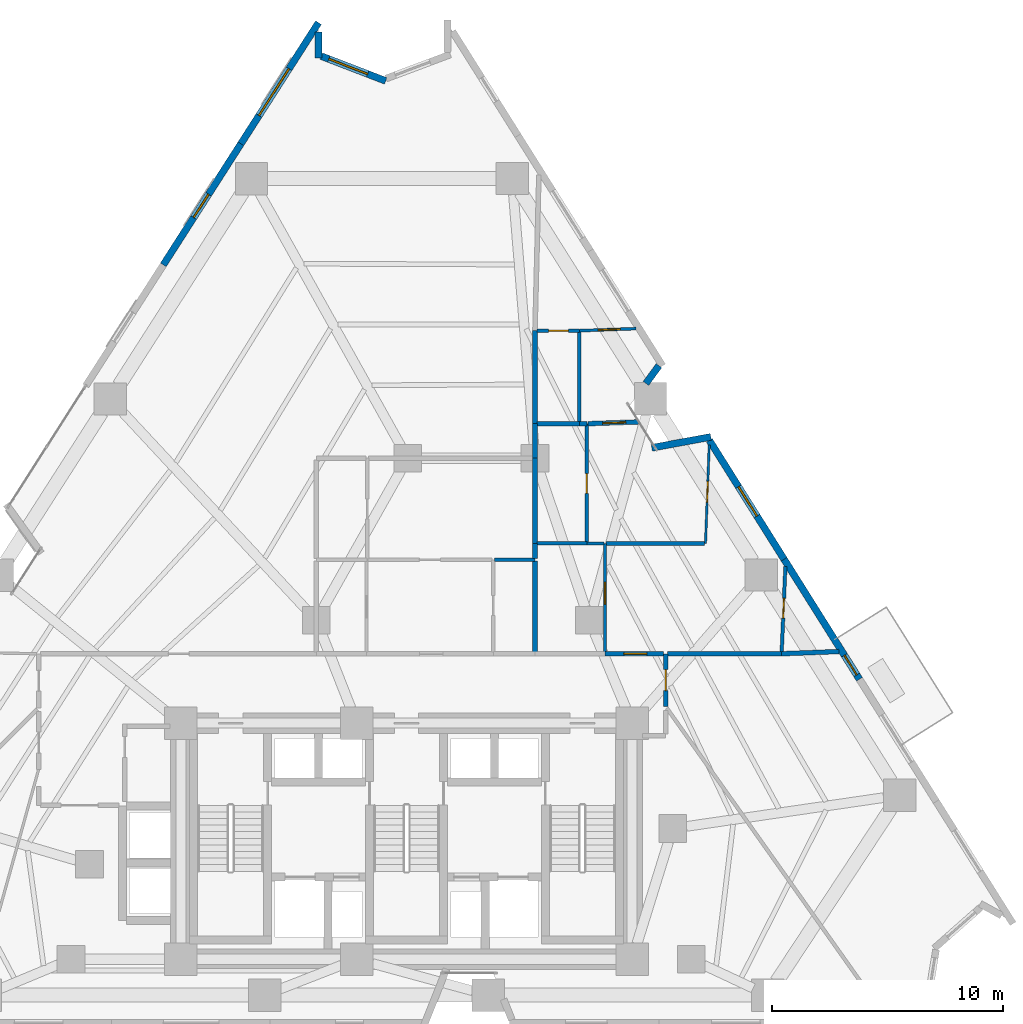
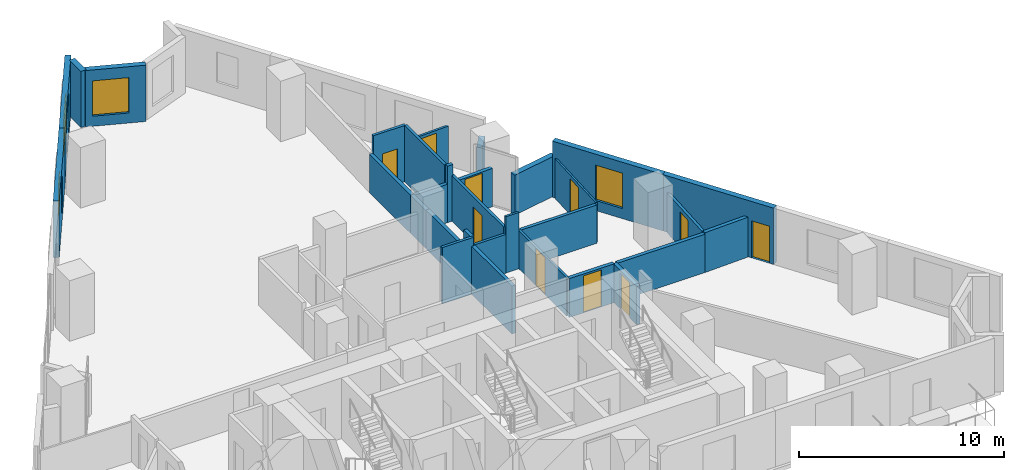
# One storey, part 9 of 13: 31 walls, 10 doors, 4 windows, 14 openings.
"""IFC4 building model written with IfcOpenShell, lengths in metres."""

from ifc_helpers import new_model, si_unit, direction, frame, frame_2d, origin, place, context, subcontext, project, spatial, rectangle, extrude, material, layer, layer_set, type_object, element, fill, save


model = new_model("IFC4")

# Units and contexts
model_context = context("Model", 3, precision=1e-05, world=origin(), true_north=direction((0.0, 1.0)))
body_context = subcontext(model_context, "Body", "Model", "MODEL_VIEW")
ifc_project = project(units=[si_unit("LENGTHUNIT", "METRE"), si_unit("AREAUNIT", "SQUARE_METRE"), si_unit("VOLUMEUNIT", "CUBIC_METRE"), si_unit("PLANEANGLEUNIT", "RADIAN"), si_unit("MASSUNIT", "GRAM", prefix="KILO")], contexts=[model_context])

# Site, building, storey
site_placement = place(None, origin())
site = spatial("IfcSite", under=ifc_project, at=site_placement, CompositionType="ELEMENT")
building_placement = place(site_placement, origin())
building = spatial("IfcBuilding", under=site, at=building_placement, Name="Almagre Mirador Tower", CompositionType="ELEMENT")
storey_placement = place(building_placement, frame((0.0, 0.0, 57.0)))
storey = spatial("IfcBuildingStorey", under=building, at=storey_placement, Name="L13", CompositionType="ELEMENT", Elevation=57.0)

# Wall, opening, window
ifc_material_1 = material(Name="Precast concrete C50/60", Category="concrete")
ifc_layer_1 = layer(ifc_material_1, 0.300048828125)
ifc_layer_set_1 = layer_set([ifc_layer_1], Name="Precast concrete C50/60")
wall_type_1 = type_object("IfcWallType", Name="WAL-EXT-300", PredefinedType="SOLIDWALL", material=ifc_layer_set_1)
wall_1_placement = place(storey_placement, frame((26.78955078125, 34.556884765625, 0.0), z_axis=(0.0, 0.0, 1.0), x_axis=(0.53946833602, 0.84200588741, 0.0)))
wall_1 = element("IfcWall", 1, at=wall_1_placement, inside=storey, type_object=wall_type_1, Name="L13 expressed almagre precast frame wall 04", PredefinedType="SOLIDWALL", context=body_context, shape_type="SweptSolid", body=[
    extrude(rectangle(XDim=6.214599609375, YDim=0.300048828125, at=frame_2d((3.107421875, 0.0))), origin(), (0.0, 0.0, 1.0), 3.35009765625),
])
opening_1_placement = place(wall_1_placement, frame((2.425048828125, 0.0, 0.800048828125)))
opening_1 = element("IfcOpeningElement", 2, at=opening_1_placement, cuts=wall_1, Name="Opening WN-04", PredefinedType="OPENING", context=body_context, shape_type="SweptSolid", body=[
    extrude(rectangle(XDim=1.199951171875, YDim=1.800048828125, at=frame_2d((0.60009765625, 0.89990234375))), frame((0.0, 0.159902, 0.0), z_axis=(0.0, -1.0, 0.0), x_axis=(1.0, 0.0, 0.0)), (0.0, 0.0, 1.0), 0.320049),
])
ifc_material_2 = material(Name="Dark solar-control laminated hurricane glass", Category="glass")
window_type_1 = type_object("IfcWindowType", Name="WIN-1200X1800", PartitioningType="SINGLE_PANEL", PredefinedType="WINDOW", material=ifc_material_2)
window_1_placement = place(opening_1_placement, origin())
window_1 = element("IfcWindow", 3, at=window_1_placement, inside=storey, type_object=window_type_1, Name="L13 recessed hurricane window L13-RST-H", OverallHeight=1.800048828125, OverallWidth=1.199951171875, PartitioningType="SINGLE_PANEL", PredefinedType="WINDOW", context=body_context, shape_type="SweptSolid", body=[
    extrude(rectangle(XDim=1.199951171875, YDim=1.800048828125, at=frame_2d((0.60009765625, 0.89990234375))), frame((0.0, 0.030029296875, 0.0), z_axis=(0.0, -1.0, 0.0), x_axis=(1.0, 0.0, 0.0)), (0.0, 0.0, 1.0), 0.06005859375),
])
fill(opening_1, window_1)

wall_2_placement = place(storey_placement, frame((30.14208984375, 39.78955078125, 0.0), z_axis=(0.0, 0.0, 1.0), x_axis=(0.539541882915, 0.841958761805, 0.0)))
wall_2 = element("IfcWall", 4, at=wall_2_placement, inside=storey, type_object=wall_type_1, Name="L13 expressed almagre precast frame wall 05", PredefinedType="SOLIDWALL", context=body_context, shape_type="SweptSolid", body=[
    extrude(rectangle(XDim=6.214599609375, YDim=0.300048828125, at=frame_2d((3.107421875, 0.0))), origin(), (0.0, 0.0, 1.0), 3.35009765625),
])
opening_2_placement = place(wall_2_placement, frame((1.449951171875, 0.0, 0.60009765625)))
opening_2 = element("IfcOpeningElement", 5, at=opening_2_placement, cuts=wall_2, Name="Opening WN-02", PredefinedType="OPENING", context=body_context, shape_type="SweptSolid", body=[
    extrude(rectangle(XDim=2.39990234375, YDim=2.10009765625, at=frame_2d((1.199951171875, 1.050048828125))), frame((0.0, 0.159902, 0.0), z_axis=(0.0, -1.0, 0.0), x_axis=(1.0, 0.0, 0.0)), (0.0, 0.0, 1.0), 0.320049),
])
ifc_material_3 = material(Name="Dark solar-control laminated hurricane glass", Category="glass")
window_type_2 = type_object("IfcWindowType", Name="WIN-2400X2100", PartitioningType="TRIPLE_PANEL_VERTICAL", PredefinedType="WINDOW", material=ifc_material_3)
window_2_placement = place(opening_2_placement, origin())
window_2 = element("IfcWindow", 6, at=window_2_placement, inside=storey, type_object=window_type_2, Name="L13 recessed hurricane window L13-RST-H", OverallHeight=2.10009765625, OverallWidth=2.39990234375, PartitioningType="SINGLE_PANEL", PredefinedType="WINDOW", context=body_context, shape_type="SweptSolid", body=[
    extrude(rectangle(XDim=2.39990234375, YDim=2.10009765625, at=frame_2d((1.199951171875, 1.050048828125))), frame((0.0, 0.030029296875, 0.0), z_axis=(0.0, -1.0, 0.0), x_axis=(1.0, 0.0, 0.0)), (0.0, 0.0, 1.0), 0.06005859375),
])
fill(opening_2, window_2)

# Wall
wall_3_placement = place(storey_placement, frame((33.492919921875, 44.612060546875, 0.0), z_axis=(0.0, 0.0, 1.0), x_axis=(-0.004991257271, -0.999987543598, 0.0)))
element("IfcWall", 7, at=wall_3_placement, inside=storey, type_object=wall_type_1, Name="L13 expressed almagre precast frame wall 06", PredefinedType="SOLIDWALL", context=body_context, shape_type="SweptSolid", body=[
    extrude(rectangle(XDim=1.125, YDim=0.300048828125, at=frame_2d((0.5625, 0.0))), origin(), (0.0, 0.0, 1.0), 3.35009765625),
])

# Wall, opening, window
wall_4_placement = place(storey_placement, frame((33.614013671875, 43.57861328125, 0.0), z_axis=(0.0, 0.0, 1.0), x_axis=(0.933166321884, -0.359444871576, 0.0)))
wall_4 = element("IfcWall", 8, at=wall_4_placement, inside=storey, type_object=wall_type_1, Name="L13 expressed almagre precast frame wall 07", PredefinedType="SOLIDWALL", context=body_context, shape_type="SweptSolid", body=[
    extrude(rectangle(XDim=2.985107421875, YDim=0.300048828125, at=frame_2d((1.49267578125, 0.0))), origin(), (0.0, 0.0, 1.0), 3.35009765625),
])
opening_3_placement = place(wall_4_placement, frame((0.35009765625, 0.0, 0.60009765625)))
opening_3 = element("IfcOpeningElement", 9, at=opening_3_placement, cuts=wall_4, Name="Opening WN-01", PredefinedType="OPENING", context=body_context, shape_type="SweptSolid", body=[
    extrude(rectangle(XDim=1.800048828125, YDim=2.10009765625, at=frame_2d((0.89990234375, 1.050048828125))), frame((0.0, 0.159902, 0.0), z_axis=(0.0, -1.0, 0.0), x_axis=(1.0, 0.0, 0.0)), (0.0, 0.0, 1.0), 0.320049),
])
ifc_material_4 = material(Name="Dark solar-control laminated hurricane glass", Category="glass")
window_type_3 = type_object("IfcWindowType", Name="WIN-1800X2100", PartitioningType="DOUBLE_PANEL_VERTICAL", PredefinedType="WINDOW", material=ifc_material_4)
window_3_placement = place(opening_3_placement, origin())
window_3 = element("IfcWindow", 10, at=window_3_placement, inside=storey, type_object=window_type_3, Name="L13 recessed hurricane window L13-RST-H", OverallHeight=2.10009765625, OverallWidth=1.800048828125, PartitioningType="SINGLE_PANEL", PredefinedType="WINDOW", context=body_context, shape_type="SweptSolid", body=[
    extrude(rectangle(XDim=1.800048828125, YDim=2.10009765625, at=frame_2d((0.89990234375, 1.050048828125))), frame((0.0, 0.030029296875, 0.0), z_axis=(0.0, -1.0, 0.0), x_axis=(1.0, 0.0, 0.0)), (0.0, 0.0, 1.0), 0.06005859375),
])
fill(opening_3, window_3)

# Walls
wall_5_placement = place(storey_placement, frame((48.20751953125, 30.198974609375, 0.0), z_axis=(0.0, 0.0, 1.0), x_axis=(-0.590673165439, -0.806910906873, 0.0)))
element("IfcWall", 11, at=wall_5_placement, inside=storey, type_object=wall_type_1, Name="L13 expressed almagre precast frame wall 13", PredefinedType="SOLIDWALL", context=body_context, shape_type="SweptSolid", body=[
    extrude(rectangle(XDim=0.95068359375, YDim=0.300048828125, at=frame_2d((0.475341796875, 0.0))), origin(), (0.0, 0.0, 1.0), 2.375),
])
wall_6_placement = place(storey_placement, frame((47.898193359375, 26.649658203125, 0.0), z_axis=(0.0, 0.0, 1.0), x_axis=(0.983393554406, 0.181485859375, 0.0)))
element("IfcWall", 12, at=wall_6_placement, inside=storey, type_object=wall_type_1, Name="L13 expressed almagre precast frame wall 14", PredefinedType="SOLIDWALL", context=body_context, shape_type="SweptSolid", body=[
    extrude(rectangle(XDim=2.593505859375, YDim=0.300048828125, at=frame_2d((1.296875, 0.0))), origin(), (0.0, 0.0, 1.0), 2.375),
])

# Wall, opening, window
wall_7_placement = place(storey_placement, frame((50.385498046875, 26.9765625, 0.0), z_axis=(0.0, 0.0, 1.0), x_axis=(0.531889110823, -0.846814013694, 0.0)))
wall_7 = element("IfcWall", 13, at=wall_7_placement, inside=storey, type_object=wall_type_1, Name="L13 expressed almagre precast frame wall 15", PredefinedType="SOLIDWALL", context=body_context, shape_type="SweptSolid", body=[
    extrude(rectangle(XDim=6.1259765625, YDim=0.300048828125, at=frame_2d((3.06298828125, 0.0))), origin(), (0.0, 0.0, 1.0), 3.35009765625),
])
opening_4_placement = place(wall_7_placement, frame((2.3701171875, 0.0, 0.60009765625)))
opening_4 = element("IfcOpeningElement", 14, at=opening_4_placement, cuts=wall_7, Name="Opening WN-03", PredefinedType="OPENING", context=body_context, shape_type="SweptSolid", body=[
    extrude(rectangle(XDim=1.5, YDim=2.10009765625, at=frame_2d((0.75, 1.050048828125))), frame((0.0, 0.159902, 0.0), z_axis=(0.0, -1.0, 0.0), x_axis=(1.0, 0.0, 0.0)), (0.0, 0.0, 1.0), 0.320049),
])
ifc_material_5 = material(Name="Dark solar-control laminated hurricane glass", Category="glass")
window_type_4 = type_object("IfcWindowType", Name="WIN-1500X2100", PartitioningType="DOUBLE_PANEL_VERTICAL", PredefinedType="WINDOW", material=ifc_material_5)
window_4_placement = place(opening_4_placement, origin())
window_4 = element("IfcWindow", 15, at=window_4_placement, inside=storey, type_object=window_type_4, Name="L13 recessed hurricane window L13-UG-LV", OverallHeight=2.10009765625, OverallWidth=1.5, PartitioningType="SINGLE_PANEL", PredefinedType="WINDOW", context=body_context, shape_type="SweptSolid", body=[
    extrude(rectangle(XDim=1.5, YDim=2.10009765625, at=frame_2d((0.75, 1.050048828125))), frame((0.0, 0.030029296875, 0.0), z_axis=(0.0, -1.0, 0.0), x_axis=(1.0, 0.0, 0.0)), (0.0, 0.0, 1.0), 0.06005859375),
])
fill(opening_4, window_4)

# Wall, opening, door
wall_8_placement = place(storey_placement, frame((53.61572265625, 21.833984375, 0.0), z_axis=(0.0, 0.0, 1.0), x_axis=(0.531897146978, -0.846808966082, 0.0)))
wall_8 = element("IfcWall", 16, at=wall_8_placement, inside=storey, type_object=wall_type_1, Name="L13 expressed almagre precast frame wall 16", PredefinedType="SOLIDWALL", context=body_context, shape_type="SweptSolid", body=[
    extrude(rectangle(XDim=6.123046875, YDim=0.300048828125, at=frame_2d((3.0615234375, 0.0))), origin(), (0.0, 0.0, 1.0), 3.35009765625),
])
opening_5_placement = place(wall_8_placement, frame((4.90283203125, 0.0, 0.0)))
opening_5 = element("IfcOpeningElement", 17, at=opening_5_placement, cuts=wall_8, Name="Opening BD-01", PredefinedType="OPENING", context=body_context, shape_type="SweptSolid", body=[
    extrude(rectangle(XDim=1.0, YDim=2.199951171875, at=frame_2d((0.5, 1.10009765625))), frame((0.0, 0.159902, 0.0), z_axis=(0.0, -1.0, 0.0), x_axis=(1.0, 0.0, 0.0)), (0.0, 0.0, 1.0), 0.320049),
])
ifc_material_6 = material(Name="Black anodized aluminium and laminated glass", Category="aluminium")
door_type_1 = type_object("IfcDoorType", Name="DOR-BAL-1000X2200", OperationType="NOTDEFINED", PredefinedType="DOOR", material=ifc_material_6)
door_1_placement = place(opening_5_placement, origin())
door_1 = element("IfcDoor", 18, at=door_1_placement, inside=storey, type_object=door_type_1, Name="DR-0421 L13 east balcony glazed door 2", OperationType="SINGLE_SWING_RIGHT", OverallHeight=2.199951171875, OverallWidth=1.0, PredefinedType="DOOR", context=body_context, shape_type="SweptSolid", body=[
    extrude(rectangle(XDim=1.0, YDim=2.199951171875, at=frame_2d((0.5, 1.10009765625))), frame((0.0, 0.02490234375, 0.0), z_axis=(0.0, -1.0, 0.0), x_axis=(1.0, 0.0, 0.0)), (0.0, 0.0, 1.0), 0.050048828125),
])
fill(opening_5, door_1)

ifc_material_7 = material(Name="Gypsum acoustic stud partition", Category="other")
ifc_layer_2 = layer(ifc_material_7, 0.10009765625)
ifc_layer_set_2 = layer_set([ifc_layer_2], Name="Gypsum acoustic stud partition")
wall_type_2 = type_object("IfcWallType", Name="WAL-PRT-100-CLS", PredefinedType="PARTITIONING", material=ifc_layer_set_2)
wall_9_placement = place(storey_placement, frame((50.3798828125, 26.762939453125, 0.0), z_axis=(0.0, 0.0, 1.0), x_axis=(-0.037662425344, -0.999290519177, 0.0)))
wall_9 = element("IfcWall", 19, at=wall_9_placement, inside=storey, type_object=wall_type_2, Name="L13 interior partition 035", PredefinedType="PARTITIONING", context=body_context, shape_type="SweptSolid", body=[
    extrude(rectangle(XDim=4.245849609375, YDim=0.10009765625, at=frame_2d((2.123046875, 0.0))), origin(), (0.0, 0.0, 1.0), 2.3701171875),
])
opening_6_placement = place(wall_9_placement, frame((1.5625, 0.0, 0.0)))
opening_6 = element("IfcOpeningElement", 20, at=opening_6_placement, cuts=wall_9, Name="Opening UD-02", PredefinedType="OPENING", context=body_context, shape_type="SweptSolid", body=[
    extrude(rectangle(XDim=0.89990234375, YDim=2.14990234375, at=frame_2d((0.449951171875, 1.074951171875))), frame((0.0, 0.060049, 0.0), z_axis=(0.0, -1.0, 0.0), x_axis=(1.0, 0.0, 0.0)), (0.0, 0.0, 1.0), 0.120098),
])
ifc_material_8 = material(Name="Solid American walnut timber", Category="wood")
door_type_2 = type_object("IfcDoorType", Name="DOR-UNR-900X2150", OperationType="NOTDEFINED", PredefinedType="DOOR", material=ifc_material_8)
door_2_placement = place(opening_6_placement, origin())
door_2 = element("IfcDoor", 21, at=door_2_placement, inside=storey, type_object=door_type_2, Name="DR-0440 L13 interior door L13-UG-LV to L13-UG-MB", OperationType="SINGLE_SWING_RIGHT", OverallHeight=2.14990234375, OverallWidth=0.89990234375, PredefinedType="DOOR", context=body_context, shape_type="SweptSolid", body=[
    extrude(rectangle(XDim=0.89990234375, YDim=2.14990234375, at=frame_2d((0.449951171875, 1.074951171875))), frame((0.0, 0.02490234375, 0.0), z_axis=(0.0, -1.0, 0.0), x_axis=(1.0, 0.0, 0.0)), (0.0, 0.0, 1.0), 0.050048828125),
])
fill(opening_6, door_2)

ifc_material_9 = material(Name="Gypsum acoustic stud partition", Category="other")
ifc_layer_3 = layer(ifc_material_9, 0.125)
ifc_layer_set_3 = layer_set([ifc_layer_3], Name="Gypsum acoustic stud partition")
wall_type_3 = type_object("IfcWallType", Name="WAL-PRT-125-UTL", PredefinedType="PARTITIONING", material=ifc_layer_set_3)
wall_10_placement = place(storey_placement, frame((45.8798828125, 22.52001953125, 0.0), z_axis=(0.0, 0.0, 1.0), x_axis=(0.0, -1.0, 0.0)))
wall_10 = element("IfcWall", 22, at=wall_10_placement, inside=storey, type_object=wall_type_3, Name="L13 interior partition 034", PredefinedType="PARTITIONING", context=body_context, shape_type="SweptSolid", body=[
    extrude(rectangle(XDim=4.68505859375, YDim=0.125, at=frame_2d((2.342529296875, 0.0))), origin(), (0.0, 0.0, 1.0), 2.279052734375),
])
opening_7_placement = place(wall_10_placement, frame((1.674072265625, 0.0, 0.0)))
opening_7 = element("IfcOpeningElement", 23, at=opening_7_placement, cuts=wall_10, Name="Opening UD-01", PredefinedType="OPENING", context=body_context, shape_type="SweptSolid", body=[
    extrude(rectangle(XDim=0.949951171875, YDim=2.199951171875, at=frame_2d((0.47509765625, 1.10009765625))), frame((0.0, 0.0725, 0.0), z_axis=(0.0, -1.0, 0.0), x_axis=(1.0, 0.0, 0.0)), (0.0, 0.0, 1.0), 0.145),
])
ifc_material_10 = material(Name="Solid American walnut timber", Category="wood")
door_type_3 = type_object("IfcDoorType", Name="DOR-UNR-950X2200", OperationType="NOTDEFINED", PredefinedType="DOOR", material=ifc_material_10)
door_3_placement = place(opening_7_placement, origin())
door_3 = element("IfcDoor", 24, at=door_3_placement, inside=storey, type_object=door_type_3, Name="DR-0438 L13 interior door L13-UG-LV to L13-UG-KT", OperationType="SINGLE_SWING_RIGHT", OverallHeight=2.199951171875, OverallWidth=0.949951171875, PredefinedType="DOOR", context=body_context, shape_type="SweptSolid", body=[
    extrude(rectangle(XDim=0.949951171875, YDim=2.199951171875, at=frame_2d((0.47509765625, 1.10009765625))), frame((0.0, 0.02490234375, 0.0), z_axis=(0.0, -1.0, 0.0), x_axis=(1.0, 0.0, 0.0)), (0.0, 0.0, 1.0), 0.050048828125),
])
fill(opening_7, door_3)

# Wall
wall_11_placement = place(storey_placement, frame((45.83251953125, 22.52001953125, 0.0), z_axis=(0.0, 0.0, 1.0), x_axis=(-1.0, 0.0, 0.0)))
element("IfcWall", 25, at=wall_11_placement, inside=storey, type_object=wall_type_3, Name="L13 interior partition 037", PredefinedType="PARTITIONING", context=body_context, shape_type="SweptSolid", body=[
    extrude(rectangle(XDim=0.742431640625, YDim=0.125, at=frame_2d((0.37109375, 0.0))), origin(), (0.0, 0.0, 1.0), 3.35009765625),
])

# Wall, opening, door
wall_12_placement = place(storey_placement, frame((44.77001953125, 31.7099609375, 0.0), z_axis=(0.0, 0.0, 1.0), x_axis=(0.99931224383, 0.037081522776, 0.0)))
wall_12 = element("IfcWall", 26, at=wall_12_placement, inside=storey, type_object=wall_type_3, Name="L13 interior partition 047", PredefinedType="PARTITIONING", context=body_context, shape_type="SweptSolid", body=[
    extrude(rectangle(XDim=2.455810546875, YDim=0.125, at=frame_2d((1.22802734375, 0.0))), origin(), (0.0, 0.0, 1.0), 2.3701171875),
])
opening_8_placement = place(wall_12_placement, frame((0.822021484375, 0.0, 0.0)))
opening_8 = element("IfcOpeningElement", 27, at=opening_8_placement, cuts=wall_12, Name="Opening UD-01", PredefinedType="OPENING", context=body_context, shape_type="SweptSolid", body=[
    extrude(rectangle(XDim=0.949951171875, YDim=2.199951171875, at=frame_2d((0.47509765625, 1.10009765625))), frame((0.0, 0.0725, 0.0), z_axis=(0.0, -1.0, 0.0), x_axis=(1.0, 0.0, 0.0)), (0.0, 0.0, 1.0), 0.145),
])
door_4_placement = place(opening_8_placement, origin())
door_4 = element("IfcDoor", 28, at=door_4_placement, inside=storey, type_object=door_type_3, Name="DR-0442 L13 interior door L13-UJ-ST to L13-UJ-KT", OperationType="SINGLE_SWING_RIGHT", OverallHeight=2.199951171875, OverallWidth=0.949951171875, PredefinedType="DOOR", context=body_context, shape_type="SweptSolid", body=[
    extrude(rectangle(XDim=0.949951171875, YDim=2.199951171875, at=frame_2d((0.47509765625, 1.10009765625))), frame((0.0, 0.02490234375, 0.0), z_axis=(0.0, -1.0, 0.0), x_axis=(1.0, 0.0, 0.0)), (0.0, 0.0, 1.0), 0.050048828125),
])
fill(opening_8, door_4)

# Wall
ifc_material_11 = material(Name="Gypsum acoustic stud partition", Category="other")
ifc_layer_4 = layer(ifc_material_11, 0.14990234375)
ifc_layer_set_4 = layer_set([ifc_layer_4], Name="Gypsum acoustic stud partition")
wall_type_4 = type_object("IfcWallType", Name="WAL-PRT-150-STD", PredefinedType="PARTITIONING", material=ifc_layer_set_4)
wall_13_placement = place(storey_placement, frame((42.85009765625, 21.81005859375, 0.0), z_axis=(0.0, 0.0, 1.0), x_axis=(-1.0, 0.0, 0.0)))
element("IfcWall", 29, at=wall_13_placement, inside=storey, type_object=wall_type_4, Name="L13 interior partition 023", PredefinedType="PARTITIONING", context=body_context, shape_type="SweptSolid", body=[
    extrude(rectangle(XDim=1.739990234375, YDim=0.14990234375, at=frame_2d((0.8701171875, 0.0))), origin(), (0.0, 0.0, 1.0), 3.35009765625),
])

# Wall, opening, door
wall_14_placement = place(storey_placement, frame((53.5126953125, 17.8349609375, 0.0), z_axis=(0.0, 0.0, 1.0), x_axis=(0.043187524183, 0.999066983618, 0.0)))
wall_14 = element("IfcWall", 30, at=wall_14_placement, inside=storey, type_object=wall_type_4, Name="L13 interior partition 033", PredefinedType="PARTITIONING", context=body_context, shape_type="SweptSolid", body=[
    extrude(rectangle(XDim=3.69140625, YDim=0.14990234375, at=frame_2d((1.845703125, 0.0))), origin(), (0.0, 0.0, 1.0), 2.3701171875),
])
opening_9_placement = place(wall_14_placement, frame((1.4609375, 0.0, 0.0)))
opening_9 = element("IfcOpeningElement", 31, at=opening_9_placement, cuts=wall_14, Name="Opening UD-04", PredefinedType="OPENING", context=body_context, shape_type="SweptSolid", body=[
    extrude(rectangle(XDim=0.85009765625, YDim=2.10009765625, at=frame_2d((0.425048828125, 1.050048828125))), frame((0.0, 0.084951, 0.0), z_axis=(0.0, -1.0, 0.0), x_axis=(1.0, 0.0, 0.0)), (0.0, 0.0, 1.0), 0.169902),
])
ifc_material_12 = material(Name="Moisture-resistant oak timber", Category="wood")
door_type_4 = type_object("IfcDoorType", Name="DOR-UNR-850X2100", OperationType="NOTDEFINED", PredefinedType="DOOR", material=ifc_material_12)
door_5_placement = place(opening_9_placement, origin())
door_5 = element("IfcDoor", 32, at=door_5_placement, inside=storey, type_object=door_type_4, Name="DR-0439 L13 interior door L13-UG-LV to L13-UG-HB", OperationType="SINGLE_SWING_LEFT", OverallHeight=2.10009765625, OverallWidth=0.85009765625, PredefinedType="DOOR", context=body_context, shape_type="SweptSolid", body=[
    extrude(rectangle(XDim=0.85009765625, YDim=2.10009765625, at=frame_2d((0.425048828125, 1.050048828125))), frame((0.0, 0.02490234375, 0.0), z_axis=(0.0, -1.0, 0.0), x_axis=(1.0, 0.0, 0.0)), (0.0, 0.0, 1.0), 0.050048828125),
])
fill(opening_9, door_5)

# Wall
wall_15_placement = place(storey_placement, frame((45.090087890625, 22.52001953125, 0.0), z_axis=(0.0, 0.0, 1.0), x_axis=(-1.0, 0.0, 0.0)))
element("IfcWall", 33, at=wall_15_placement, inside=storey, type_object=wall_type_4, Name="L13 interior partition 038", PredefinedType="PARTITIONING", context=body_context, shape_type="SweptSolid", body=[
    extrude(rectangle(XDim=2.155029296875, YDim=0.14990234375, at=frame_2d((1.07763671875, 0.0))), origin(), (0.0, 0.0, 1.0), 2.30908203125),
])

# Wall, opening, door
wall_16_placement = place(storey_placement, frame((45.090087890625, 27.68994140625, 0.0), z_axis=(0.0, 0.0, 1.0), x_axis=(0.0, -1.0, 0.0)))
wall_16 = element("IfcWall", 34, at=wall_16_placement, inside=storey, type_object=wall_type_4, Name="L13 interior partition 039", PredefinedType="PARTITIONING", context=body_context, shape_type="SweptSolid", body=[
    extrude(rectangle(XDim=5.12255859375, YDim=0.14990234375, at=frame_2d((2.561279296875, 0.0))), origin(), (0.0, 0.0, 1.0), 2.708984375),
])
opening_10_placement = place(wall_16_placement, frame((2.159912109375, 0.0, 0.0)))
opening_10 = element("IfcOpeningElement", 35, at=opening_10_placement, cuts=wall_16, Name="Opening UD-04", PredefinedType="OPENING", context=body_context, shape_type="SweptSolid", body=[
    extrude(rectangle(XDim=0.85009765625, YDim=2.10009765625, at=frame_2d((0.425048828125, 1.050048828125))), frame((0.0, 0.084951, 0.0), z_axis=(0.0, -1.0, 0.0), x_axis=(1.0, 0.0, 0.0)), (0.0, 0.0, 1.0), 0.169902),
])
door_6_placement = place(opening_10_placement, origin())
door_6 = element("IfcDoor", 36, at=door_6_placement, inside=storey, type_object=door_type_4, Name="DR-0441 L13 interior door L13-UG-MB to L13-UG-EN", OperationType="SINGLE_SWING_LEFT", OverallHeight=2.10009765625, OverallWidth=0.85009765625, PredefinedType="DOOR", context=body_context, shape_type="SweptSolid", body=[
    extrude(rectangle(XDim=0.85009765625, YDim=2.10009765625, at=frame_2d((0.425048828125, 1.050048828125))), frame((0.0, 0.02490234375, 0.0), z_axis=(0.0, -1.0, 0.0), x_axis=(1.0, 0.0, 0.0)), (0.0, 0.0, 1.0), 0.050048828125),
])
fill(opening_10, door_6)

wall_17_placement = place(storey_placement, frame((42.93505859375, 31.7099609375, 0.0), z_axis=(0.0, 0.0, 1.0), x_axis=(1.0, 0.0, 0.0)))
wall_17 = element("IfcWall", 37, at=wall_17_placement, inside=storey, type_object=wall_type_4, Name="L13 interior partition 046", PredefinedType="PARTITIONING", context=body_context, shape_type="SweptSolid", body=[
    extrude(rectangle(XDim=1.8349609375, YDim=0.14990234375, at=frame_2d((0.91748046875, 0.0))), origin(), (0.0, 0.0, 1.0), 3.35009765625),
])
opening_11_placement = place(wall_17_placement, frame((0.50634765625, 0.0, 0.0)))
opening_11 = element("IfcOpeningElement", 38, at=opening_11_placement, cuts=wall_17, Name="Opening UD-04", PredefinedType="OPENING", context=body_context, shape_type="SweptSolid", body=[
    extrude(rectangle(XDim=0.85009765625, YDim=2.10009765625, at=frame_2d((0.425048828125, 1.050048828125))), frame((0.0, 0.084951, 0.0), z_axis=(0.0, -1.0, 0.0), x_axis=(1.0, 0.0, 0.0)), (0.0, 0.0, 1.0), 0.169902),
])
door_7_placement = place(opening_11_placement, origin())
door_7 = element("IfcDoor", 39, at=door_7_placement, inside=storey, type_object=door_type_4, Name="DR-0443 L13 interior door L13-UJ-ST to L13-UJ-BT", OperationType="SINGLE_SWING_LEFT", OverallHeight=2.10009765625, OverallWidth=0.85009765625, PredefinedType="DOOR", context=body_context, shape_type="SweptSolid", body=[
    extrude(rectangle(XDim=0.85009765625, YDim=2.10009765625, at=frame_2d((0.425048828125, 1.050048828125))), frame((0.0, 0.02490234375, 0.0), z_axis=(0.0, -1.0, 0.0), x_axis=(1.0, 0.0, 0.0)), (0.0, 0.0, 1.0), 0.050048828125),
])
fill(opening_11, door_7)

# Walls
wall_18_placement = place(storey_placement, frame((44.77001953125, 27.77490234375, 0.0), z_axis=(0.0, 0.0, 1.0), x_axis=(0.0, 1.0, 0.0)))
element("IfcWall", 40, at=wall_18_placement, inside=storey, type_object=wall_type_4, Name="L13 interior partition 048", PredefinedType="PARTITIONING", context=body_context, shape_type="SweptSolid", body=[
    extrude(rectangle(XDim=3.875, YDim=0.14990234375, at=frame_2d((1.9375, 0.0))), origin(), (0.0, 0.0, 1.0), 3.35009765625),
])
ifc_material_13 = material(Name="Gypsum acoustic stud partition", Category="other")
ifc_layer_5 = layer(ifc_material_13, 0.175048828125)
ifc_layer_set_5 = layer_set([ifc_layer_5], Name="Gypsum acoustic stud partition")
wall_type_5 = type_object("IfcWallType", Name="WAL-PRT-175-AC", PredefinedType="PARTITIONING", material=ifc_layer_set_5)
wall_19_placement = place(storey_placement, frame((50.18505859375, 22.52001953125, 0.0), z_axis=(0.0, 0.0, 1.0), x_axis=(-1.0, 0.0, 0.0)))
element("IfcWall", 41, at=wall_19_placement, inside=storey, type_object=wall_type_5, Name="L13 interior partition 036", PredefinedType="PARTITIONING", context=body_context, shape_type="SweptSolid", body=[
    extrude(rectangle(XDim=4.257568359375, YDim=0.175048828125, at=frame_2d((2.12890625, 0.0))), origin(), (0.0, 0.0, 1.0), 2.279052734375),
])

# Wall, opening, door
ifc_material_14 = material(Name="Gypsum acoustic stud partition", Category="other")
ifc_layer_6 = layer(ifc_material_14, 0.199951171875)
ifc_layer_set_6 = layer_set([ifc_layer_6], Name="Gypsum acoustic stud partition")
wall_type_6 = type_object("IfcWallType", Name="WAL-PRT-200-EI60", PredefinedType="PARTITIONING", material=ifc_layer_set_6)
wall_20_placement = place(storey_placement, frame((48.5, 15.469970703125, 0.0), z_axis=(0.0, 0.0, 1.0), x_axis=(0.0, 1.0, 0.0)))
wall_20 = element("IfcWall", 42, at=wall_20_placement, inside=storey, type_object=wall_type_6, Name="L13 interior partition 007", PredefinedType="PARTITIONING", context=body_context, shape_type="SweptSolid", body=[
    extrude(rectangle(XDim=2.280029296875, YDim=0.199951171875, at=frame_2d((1.14013671875, 0.0))), origin(), (0.0, 0.0, 1.0), 2.279052734375),
])
opening_12_placement = place(wall_20_placement, frame((0.68994140625, 0.0, 0.0)))
opening_12 = element("IfcOpeningElement", 43, at=opening_12_placement, cuts=wall_20, Name="Opening ID-03", PredefinedType="OPENING", context=body_context, shape_type="SweptSolid", body=[
    extrude(rectangle(XDim=0.89990234375, YDim=2.10009765625, at=frame_2d((0.449951171875, 1.050048828125))), frame((0.0, 0.110098, 0.0), z_axis=(0.0, -1.0, 0.0), x_axis=(1.0, 0.0, 0.0)), (0.0, 0.0, 1.0), 0.219951),
])
ifc_material_15 = material(Name="Fire-rated hollow steel", Category="steel")
door_type_5 = type_object("IfcDoorType", Name="DOR-FD60-900X2100", OperationType="NOTDEFINED", PredefinedType="DOOR", material=ifc_material_15)
door_8_placement = place(opening_12_placement, origin())
door_8 = element("IfcDoor", 44, at=door_8_placement, inside=storey, type_object=door_type_5, Name="DR-0430 L13 interior door L13-RCOR to L13-RST-E", OperationType="SINGLE_SWING_RIGHT", OverallHeight=2.10009765625, OverallWidth=0.89990234375, PredefinedType="DOOR", context=body_context, shape_type="SweptSolid", body=[
    extrude(rectangle(XDim=0.89990234375, YDim=2.10009765625, at=frame_2d((0.449951171875, 1.050048828125))), frame((0.0, 0.02490234375, 0.0), z_axis=(0.0, -1.0, 0.0), x_axis=(1.0, 0.0, 0.0)), (0.0, 0.0, 1.0), 0.050048828125),
])
fill(opening_12, door_8)

wall_21_placement = place(storey_placement, frame((48.4150390625, 17.75, 0.0), z_axis=(0.0, 0.0, 1.0), x_axis=(-1.0, 0.0, 0.0)))
wall_21 = element("IfcWall", 45, at=wall_21_placement, inside=storey, type_object=wall_type_6, Name="L13 interior partition 011", PredefinedType="PARTITIONING", context=body_context, shape_type="SweptSolid", body=[
    extrude(rectangle(XDim=2.53515625, YDim=0.199951171875, at=frame_2d((1.267578125, 0.0))), origin(), (0.0, 0.0, 1.0), 2.30908203125),
])
opening_13_placement = place(wall_21_placement, frame((0.72509765625, 0.0, 0.0)))
opening_13 = element("IfcOpeningElement", 46, at=opening_13_placement, cuts=wall_21, Name="Opening ID-01", PredefinedType="OPENING", context=body_context, shape_type="SweptSolid", body=[
    extrude(rectangle(XDim=1.0, YDim=2.199951171875, at=frame_2d((0.5, 1.10009765625))), frame((0.0, 0.110098, 0.0), z_axis=(0.0, -1.0, 0.0), x_axis=(1.0, 0.0, 0.0)), (0.0, 0.0, 1.0), 0.219951),
])
ifc_material_16 = material(Name="Fire-rated walnut timber", Category="wood")
door_type_6 = type_object("IfcDoorType", Name="DOR-FD60-1000X2200", OperationType="NOTDEFINED", PredefinedType="DOOR", material=ifc_material_16)
door_9_placement = place(opening_13_placement, origin())
door_9 = element("IfcDoor", 47, at=door_9_placement, inside=storey, type_object=door_type_6, Name="DR-0437 L13 interior door L13-RCOR to L13-UG-LV", OperationType="SINGLE_SWING_LEFT", OverallHeight=2.199951171875, OverallWidth=1.0, PredefinedType="DOOR", context=body_context, shape_type="SweptSolid", body=[
    extrude(rectangle(XDim=1.0, YDim=2.199951171875, at=frame_2d((0.5, 1.10009765625))), frame((0.0, 0.02490234375, 0.0), z_axis=(0.0, -1.0, 0.0), x_axis=(1.0, 0.0, 0.0)), (0.0, 0.0, 1.0), 0.050048828125),
])
fill(opening_13, door_9)

# Walls
wall_22_placement = place(storey_placement, frame((53.510009765625, 17.75, 0.0), z_axis=(0.0, 0.0, 1.0), x_axis=(-1.0, 0.0, 0.0)))
element("IfcWall", 48, at=wall_22_placement, inside=storey, type_object=wall_type_6, Name="L13 interior partition 018", PredefinedType="PARTITIONING", context=body_context, shape_type="SweptSolid", body=[
    extrude(rectangle(XDim=4.925048828125, YDim=0.199951171875, at=frame_2d((2.46240234375, 0.0))), origin(), (0.0, 0.0, 1.0), 2.279052734375),
])
wall_23_placement = place(storey_placement, frame((55.98095703125, 17.845947265625, 0.0), z_axis=(0.0, 0.0, 1.0), x_axis=(-0.999246960983, -0.038800914501, 0.0)))
element("IfcWall", 49, at=wall_23_placement, inside=storey, type_object=wall_type_6, Name="L13 interior partition 019", PredefinedType="PARTITIONING", context=body_context, shape_type="SweptSolid", body=[
    extrude(rectangle(XDim=2.472900390625, YDim=0.199951171875, at=frame_2d((1.236328125, 0.0))), origin(), (0.0, 0.0, 1.0), 2.3701171875),
])
wall_24_placement = place(storey_placement, frame((42.85009765625, 17.8349609375, 0.0), z_axis=(0.0, 0.0, 1.0), x_axis=(0.0, 1.0, 0.0)))
element("IfcWall", 50, at=wall_24_placement, inside=storey, type_object=wall_type_6, Name="L13 interior partition 024", PredefinedType="PARTITIONING", context=body_context, shape_type="SweptSolid", body=[
    extrude(rectangle(XDim=3.9150390625, YDim=0.199951171875, at=frame_2d((1.95751953125, 0.0))), origin(), (0.0, 0.0, 1.0), 2.85302734375),
])
wall_25_placement = place(storey_placement, frame((42.85009765625, 21.8701171875, 0.0), z_axis=(0.0, 0.0, 1.0), x_axis=(0.0, 1.0, 0.0)))
element("IfcWall", 51, at=wall_25_placement, inside=storey, type_object=wall_type_6, Name="L13 interior partition 028", PredefinedType="PARTITIONING", context=body_context, shape_type="SweptSolid", body=[
    extrude(rectangle(XDim=0.64990234375, YDim=0.199951171875, at=frame_2d((0.324951171875, 0.0))), origin(), (0.0, 0.0, 1.0), 3.35009765625),
])
wall_26_placement = place(storey_placement, frame((42.85009765625, 22.52001953125, 0.0), z_axis=(0.0, 0.0, 1.0), x_axis=(0.0, 1.0, 0.0)))
element("IfcWall", 52, at=wall_26_placement, inside=storey, type_object=wall_type_6, Name="L13 interior partition 029", PredefinedType="PARTITIONING", context=body_context, shape_type="SweptSolid", body=[
    extrude(rectangle(XDim=3.679931640625, YDim=0.199951171875, at=frame_2d((1.83984375, 0.0))), origin(), (0.0, 0.0, 1.0), 2.30908203125),
])

# Wall, opening, door
wall_27_placement = place(storey_placement, frame((47.347900390625, 27.77001953125, 0.0), z_axis=(0.0, 0.0, 1.0), x_axis=(-0.9993728547, -0.035410412157, 0.0)))
wall_27 = element("IfcWall", 53, at=wall_27_placement, inside=storey, type_object=wall_type_6, Name="L13 interior partition 040", PredefinedType="PARTITIONING", context=body_context, shape_type="SweptSolid", body=[
    extrude(rectangle(XDim=2.199462890625, YDim=0.199951171875, at=frame_2d((1.099609375, 0.0))), origin(), (0.0, 0.0, 1.0), 2.279052734375),
])
opening_14_placement = place(wall_27_placement, frame((0.5751953125, 0.0, 0.0)))
opening_14 = element("IfcOpeningElement", 54, at=opening_14_placement, cuts=wall_27, Name="Opening ID-01", PredefinedType="OPENING", context=body_context, shape_type="SweptSolid", body=[
    extrude(rectangle(XDim=1.0, YDim=2.199951171875, at=frame_2d((0.5, 1.10009765625))), frame((0.0, 0.110098, 0.0), z_axis=(0.0, -1.0, 0.0), x_axis=(1.0, 0.0, 0.0)), (0.0, 0.0, 1.0), 0.219951),
])
door_10_placement = place(opening_14_placement, origin())
door_10 = element("IfcDoor", 55, at=door_10_placement, inside=storey, type_object=door_type_6, Name="DR-0444 L13 interior door L13-UG-MB to L13-UJ-KT", OperationType="SINGLE_SWING_RIGHT", OverallHeight=2.199951171875, OverallWidth=1.0, PredefinedType="DOOR", context=body_context, shape_type="SweptSolid", body=[
    extrude(rectangle(XDim=1.0, YDim=2.199951171875, at=frame_2d((0.5, 1.10009765625))), frame((0.0, 0.02490234375, 0.0), z_axis=(0.0, -1.0, 0.0), x_axis=(1.0, 0.0, 0.0)), (0.0, 0.0, 1.0), 0.050048828125),
])
fill(opening_14, door_10)

# Walls
wall_28_placement = place(storey_placement, frame((42.85009765625, 27.68994140625, 0.0), z_axis=(0.0, 0.0, 1.0), x_axis=(0.0, -1.0, 0.0)))
element("IfcWall", 56, at=wall_28_placement, inside=storey, type_object=wall_type_6, Name="L13 interior partition 041", PredefinedType="PARTITIONING", context=body_context, shape_type="SweptSolid", body=[
    extrude(rectangle(XDim=1.489990234375, YDim=0.199951171875, at=frame_2d((0.7451171875, 0.0))), origin(), (0.0, 0.0, 1.0), 2.279052734375),
])
wall_29_placement = place(storey_placement, frame((44.77001953125, 27.68994140625, 0.0), z_axis=(0.0, 0.0, 1.0), x_axis=(-1.0, 0.0, 0.0)))
element("IfcWall", 57, at=wall_29_placement, inside=storey, type_object=wall_type_6, Name="L13 interior partition 042", PredefinedType="PARTITIONING", context=body_context, shape_type="SweptSolid", body=[
    extrude(rectangle(XDim=1.8349609375, YDim=0.199951171875, at=frame_2d((0.91748046875, 0.0))), origin(), (0.0, 0.0, 1.0), 2.279052734375),
])
wall_30_placement = place(storey_placement, frame((45.090087890625, 27.68994140625, 0.0), z_axis=(0.0, 0.0, 1.0), x_axis=(-1.0, 0.0, 0.0)))
element("IfcWall", 58, at=wall_30_placement, inside=storey, type_object=wall_type_6, Name="L13 interior partition 043", PredefinedType="PARTITIONING", context=body_context, shape_type="SweptSolid", body=[
    extrude(rectangle(XDim=0.320068359375, YDim=0.199951171875, at=frame_2d((0.16015625, 0.0))), origin(), (0.0, 0.0, 1.0), 3.35009765625),
])
wall_31_placement = place(storey_placement, frame((42.85009765625, 27.68994140625, 0.0), z_axis=(0.0, 0.0, 1.0), x_axis=(0.0, 1.0, 0.0)))
element("IfcWall", 59, at=wall_31_placement, inside=storey, type_object=wall_type_6, Name="L13 interior partition 045", PredefinedType="PARTITIONING", context=body_context, shape_type="SweptSolid", body=[
    extrude(rectangle(XDim=4.02001953125, YDim=0.199951171875, at=frame_2d((2.010009765625, 0.0))), origin(), (0.0, 0.0, 1.0), 2.279052734375),
])

save(model, "model.ifc")
